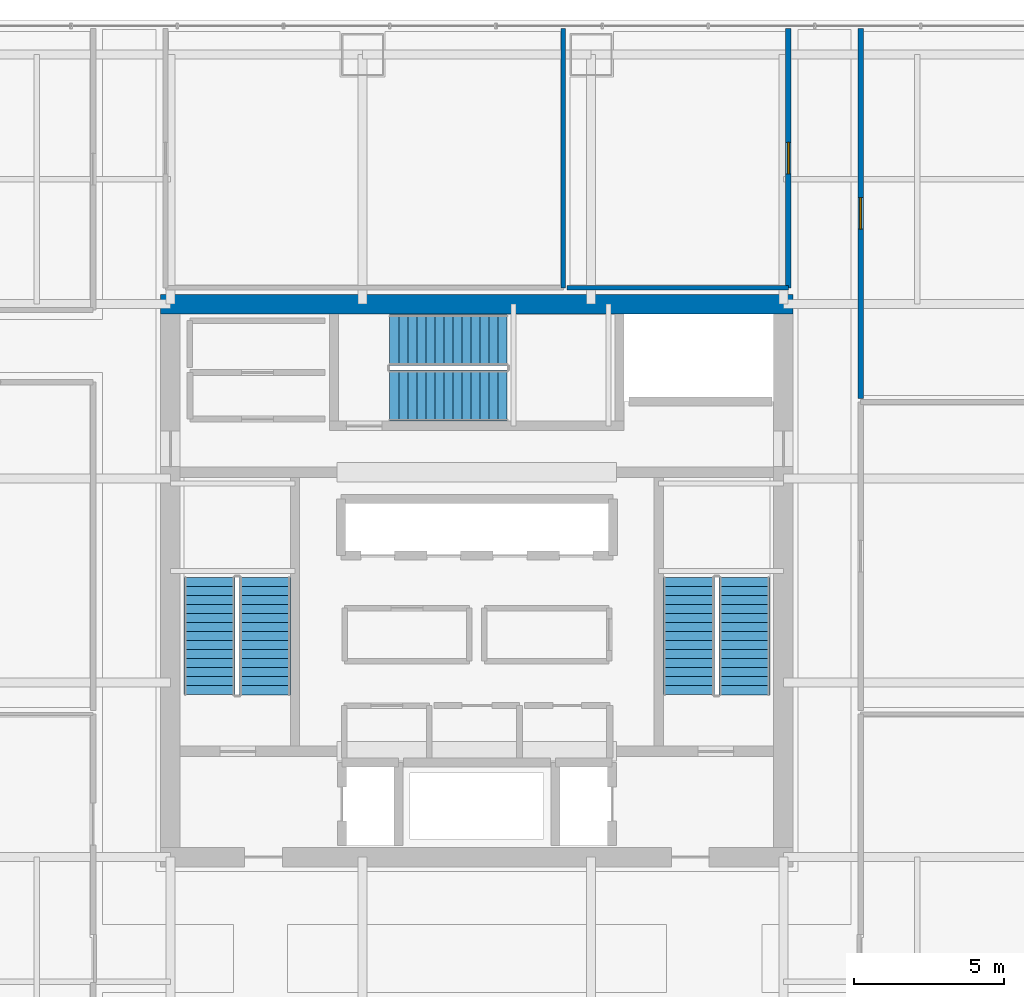
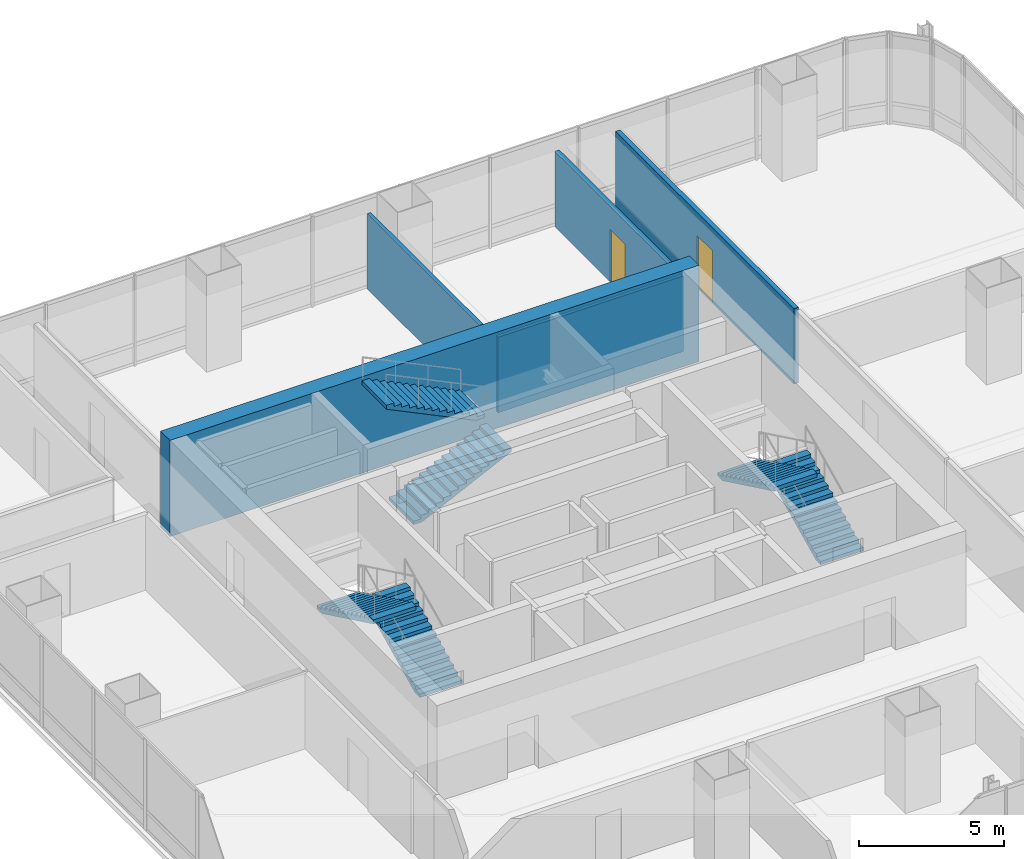
# One storey, part 31 of 36: 6 stair flights, 5 walls, 2 doors, 2 openings, 3 elements without a shape of their own.
"""IFC4 building model written with IfcOpenShell, lengths in metres."""

import ifcopenshell
import ifcopenshell.guid

model = None  # the IFC model being written
_history = None  # IfcOwnerHistory: only IFC2X3 demands one
_inside = {}  # id of a spatial element -> (the spatial element, [elements in it])
_under = {}  # id of a project, library or spatial element -> (it, [spatial elements below it])
_declared = {}  # id of a project -> (the project, [libraries it declares])
_typed = {}  # id of a type object -> (the type object, [elements of that type])
_made_of = {}  # id of a material, layer set ... -> (it, [elements and type objects made of it])


def new_model(schema):
    """Start an empty IFC model of exactly this schema.

    Asked for "IFC4X3", IfcOpenShell would pick the latest addendum, in which some entities
    have other attributes; the version numbers below select the first issue.
    IFC2X3 requires an IfcOwnerHistory on every rooted entity: one is made here for all.
    """
    global model, _history
    if schema == "IFC4X3":
        model = ifcopenshell.file(schema_version=(4, 3, 0, 0))
    else:
        model = ifcopenshell.file(schema=schema)
    _inside.clear()
    _under.clear()
    _declared.clear()
    _typed.clear()
    _made_of.clear()
    _history = None
    if model.schema == "IFC2X3":
        org = make("IfcOrganization", Name="unknown")
        user = make(
            "IfcPersonAndOrganization",
            ThePerson=make("IfcPerson", FamilyName="unknown"),
            TheOrganization=org,
        )
        app = make(
            "IfcApplication",
            ApplicationDeveloper=org,
            Version="unknown",
            ApplicationFullName="unknown",
            ApplicationIdentifier="unknown",
        )
        _history = make(
            "IfcOwnerHistory",
            OwningUser=user,
            OwningApplication=app,
            ChangeAction="ADDED",
            CreationDate=0,
        )
    return model


def make(cls, **values):
    """One entity of the class cls with the attributes given. An attribute that is None is left unset."""
    return model.create_entity(
        cls, **{name: value for name, value in values.items() if value is not None}
    )


def rooted(cls, **values):
    """An entity with a GlobalId (a new one), such as an element, a storey or a relation."""
    return make(cls, GlobalId=ifcopenshell.guid.new(), OwnerHistory=_history, **values)


def si_unit(unit_type, name, prefix=None):
    """IfcSIUnit, for example si_unit("LENGTHUNIT", "METRE", prefix="MILLI")."""
    return make("IfcSIUnit", UnitType=unit_type, Prefix=prefix, Name=name)


def assignment(units):
    """IfcUnitAssignment: the units of a project."""
    return None if units is None else make("IfcUnitAssignment", Units=units)


def point(xyz):
    """IfcCartesianPoint."""
    return None if xyz is None else make("IfcCartesianPoint", Coordinates=xyz)


def direction(xyz):
    """IfcDirection."""
    return None if xyz is None else make("IfcDirection", DirectionRatios=xyz)


def frame(location, z_axis=None, x_axis=None):
    """IfcAxis2Placement3D, a coordinate frame: its origin and axes. An axis left out is left unset."""
    return make(
        "IfcAxis2Placement3D",
        Location=point(location),
        Axis=direction(z_axis),
        RefDirection=direction(x_axis),
    )


def frame_2d(location, x_axis=None):
    """IfcAxis2Placement2D, a coordinate frame in the plane: its origin and x axis."""
    return make(
        "IfcAxis2Placement2D", Location=point(location), RefDirection=direction(x_axis)
    )


def origin():
    """The frame at (0, 0, 0) with its axes left unset."""
    return frame((0.0, 0.0, 0.0))


def place(relative_to, where):
    """IfcLocalPlacement: puts the frame where relative to a parent placement (None: the world)."""
    return make(
        "IfcLocalPlacement", PlacementRelTo=relative_to, RelativePlacement=where
    )


def context(
    kind, dimensions, precision=None, world=None, true_north=None, identifier=None
):
    """IfcGeometricRepresentationContext, for example the 3D "Model" context."""
    return make(
        "IfcGeometricRepresentationContext",
        ContextIdentifier=identifier,
        ContextType=kind,
        CoordinateSpaceDimension=dimensions,
        Precision=precision,
        WorldCoordinateSystem=world,
        TrueNorth=true_north,
    )


def subcontext(parent, identifier, kind, view, scale=None):
    """IfcGeometricRepresentationSubContext, for example "Body" below "Model"."""
    return make(
        "IfcGeometricRepresentationSubContext",
        ContextIdentifier=identifier,
        ContextType=kind,
        ParentContext=parent,
        TargetScale=scale,
        TargetView=view,
    )


def project(units=None, contexts=None):
    """IfcProject with its units and contexts."""
    return rooted(
        "IfcProject",
        Name="project",
        RepresentationContexts=contexts,
        UnitsInContext=assignment(units),
    )


def spatial(cls, under=None, at=None, **own):
    """A site, building, storey or space (cls), placed at a placement, below another one or the project."""
    s = rooted(cls, ObjectPlacement=at, **own)
    if under is not None:
        _under.setdefault(under.id(), (under, []))[1].append(s)
    return s


def polyline(points):
    """IfcPolyline through the points."""
    return make("IfcPolyline", Points=[point(p) for p in points])


def profile(cls, at=None, kind="AREA", **sizes):
    """A parametric profile (cls). Its sizes go by their IFC names, for example OverallWidth=200.0."""
    return make(cls, ProfileType=kind, Position=at, **sizes)


def rectangle(**sizes):
    """IfcRectangleProfileDef."""
    return profile("IfcRectangleProfileDef", **sizes)


def outline(outer, holes=None, kind="AREA"):
    """IfcArbitraryClosedProfileDef: a profile drawn as a closed curve; with holes, ...WithVoids."""
    if holes is None:
        return make("IfcArbitraryClosedProfileDef", ProfileType=kind, OuterCurve=outer)
    return make(
        "IfcArbitraryProfileDefWithVoids",
        ProfileType=kind,
        OuterCurve=outer,
        InnerCurves=holes,
    )


def extrude(swept, where, along, depth):
    """IfcExtrudedAreaSolid: the profile swept, set in the frame where, extruded along a direction by depth."""
    return make(
        "IfcExtrudedAreaSolid",
        SweptArea=swept,
        Position=where,
        ExtrudedDirection=direction(along),
        Depth=depth,
    )


def shape(context_of_items, identifier, shape_type, items):
    """IfcShapeRepresentation: the items that make up one representation, for example the "Body"."""
    return make(
        "IfcShapeRepresentation",
        ContextOfItems=context_of_items,
        RepresentationIdentifier=identifier,
        RepresentationType=shape_type,
        Items=items,
    )


def material(Name=None, Category=None):
    """IfcMaterial."""
    return make("IfcMaterial", Name=Name, Category=Category)


def layer(
    of_material, thickness, ventilated=None, Name=None, Category=None, Priority=None
):
    """IfcMaterialLayer: one layer of a wall or slab, of a material (None: an air gap)."""
    return make(
        "IfcMaterialLayer",
        Material=of_material,
        LayerThickness=thickness,
        IsVentilated=ventilated,
        Name=Name,
        Category=Category,
        Priority=Priority,
    )


def layer_set(layers, Name=None):
    """IfcMaterialLayerSet."""
    return make("IfcMaterialLayerSet", MaterialLayers=layers, LayerSetName=Name)


def made_of(thing, what):
    """Note that an element or type object is made of a material, layer set ...; save() writes the relation."""
    if what is not None:
        _made_of.setdefault(what.id(), (what, []))[1].append(thing)
    return thing


def type_object(cls, material=None, **own):
    """A type object (cls), such as IfcWallType, which elements share."""
    return made_of(rooted(cls, **own), material)


def element(
    cls,
    number,
    at=None,
    inside=None,
    cuts=None,
    type_object=None,
    material=None,
    context=None,
    identifier="Body",
    shape_type=None,
    held_by="IfcProductDefinitionShape",
    body=None,
    shapes=None,
    **own,
):
    """One element of the class cls, such as IfcWall. Its Tag is "e" and its number.

    at: its placement. inside: the storey or other place that contains it. cuts: it is an
    opening in that element (IfcRelVoidsElement). A single representation is given by context,
    identifier, shape_type and body (its items); several are given by shapes. held_by: the class
    of the entity that holds the representations. save() writes the other relations.
    """
    e = rooted(cls, Tag="e%d" % number, ObjectPlacement=at, **own)
    if body is not None:
        shapes = [shape(context, identifier, shape_type, body)]
    if shapes is not None:
        e.Representation = make(held_by, Representations=shapes)
    if inside is not None:
        _inside.setdefault(inside.id(), (inside, []))[1].append(e)
    if cuts is not None:
        rooted(
            "IfcRelVoidsElement", RelatingBuildingElement=cuts, RelatedOpeningElement=e
        )
    if type_object is not None:
        _typed.setdefault(type_object.id(), (type_object, []))[1].append(e)
    return made_of(e, material)


def fill(opening, filler):
    """IfcRelFillsElement: the door or window that sits in an opening."""
    return rooted(
        "IfcRelFillsElement",
        RelatingOpeningElement=opening,
        RelatedBuildingElement=filler,
    )


def aggregate(whole, parts):
    """IfcRelAggregates: a whole, such as a stair, and the parts it consists of."""
    return rooted("IfcRelAggregates", RelatingObject=whole, RelatedObjects=parts)


def save(model, path):
    """Write the relations noted so far, then the file.

    IfcRelAggregates (storeys below a building ...), IfcRelContainedInSpatialStructure (elements
    in a storey), IfcRelDefinesByType, IfcRelAssociatesMaterial and IfcRelDeclares: one each for
    every whole, place, type object, material and project.
    """
    for whole, parts in _under.values():
        aggregate(whole, parts)
    for where, things in _inside.values():
        rooted(
            "IfcRelContainedInSpatialStructure",
            RelatedElements=things,
            RelatingStructure=where,
        )
    for kind, things in _typed.values():
        rooted("IfcRelDefinesByType", RelatedObjects=things, RelatingType=kind)
    for what, things in _made_of.values():
        rooted("IfcRelAssociatesMaterial", RelatedObjects=things, RelatingMaterial=what)
    for by, libraries in _declared.values():
        rooted("IfcRelDeclares", RelatingContext=by, RelatedDefinitions=libraries)
    model.write(path)


model = new_model("IFC4")

# Units and contexts
model_context = context("Model", 3, precision=1e-05, world=origin(), true_north=direction((0.0, 1.0)))
body_context = subcontext(model_context, "Body", "Model", "MODEL_VIEW")
ifc_project = project(units=[si_unit("LENGTHUNIT", "METRE"), si_unit("AREAUNIT", "SQUARE_METRE"), si_unit("VOLUMEUNIT", "CUBIC_METRE"), si_unit("PLANEANGLEUNIT", "RADIAN"), si_unit("MASSUNIT", "GRAM", prefix="KILO")], contexts=[model_context])

# Site, building, storey
site_placement = place(None, origin())
site = spatial("IfcSite", under=ifc_project, at=site_placement, CompositionType="ELEMENT")
building_placement = place(site_placement, origin())
building = spatial("IfcBuilding", under=site, at=building_placement, Name="Punatoya Terracotta Tower", CompositionType="ELEMENT")
storey_placement = place(building_placement, frame((0.0, 0.0, 208.64990234375)))
storey = spatial("IfcBuildingStorey", under=building, at=storey_placement, Name="L49", CompositionType="ELEMENT", Elevation=208.64990234375)

# Wall
ifc_material_1 = material(Name="Concrete C60/75", Category="concrete")
ifc_layer_1 = layer(ifc_material_1, 0.64990234375)
ifc_layer_set_1 = layer_set([ifc_layer_1], Name="Concrete C60/75")
wall_type_1 = type_object("IfcWallType", Name="WL-COR-650", PredefinedType="SHEAR", material=ifc_layer_set_1)
wall_1_placement = place(storey_placement, frame((-10.52490234375, 9.199951171875, 0.0), z_axis=(0.0, 0.0, 1.0), x_axis=(1.0, 0.0, 0.0)))
element("IfcWall", 1, at=wall_1_placement, inside=storey, type_object=wall_type_1, Name="L49 Core Shear Wall N", PredefinedType="SHEAR", context=body_context, shape_type="SweptSolid", body=[
    extrude(rectangle(XDim=21.0498046875, YDim=0.64990234375, at=frame_2d((10.52490234375, 0.0))), origin(), (0.0, 0.0, 1.0), 4.050048828125),
])

# Wall, opening, door
ifc_material_2 = material(Name="Gypsum Fireboard + Steel Stud", Category="steel")
ifc_layer_2 = layer(ifc_material_2, 0.179931640625)
ifc_layer_set_2 = layer_set([ifc_layer_2], Name="Gypsum Fireboard + Steel Stud")
wall_type_2 = type_object("IfcWallType", Name="WL-CORR-180", PredefinedType="PARTITIONING", material=ifc_layer_set_2)
wall_2_placement = place(storey_placement, frame((12.77001953125, 6.06201171875, 0.0), z_axis=(0.0, 0.0, 1.0), x_axis=(0.0, 1.0, 0.0)))
wall_2 = element("IfcWall", 2, at=wall_2_placement, inside=storey, type_object=wall_type_2, Name="L49 Open-Plan Systems Engineering Office Partition 41", PredefinedType="PARTITIONING", context=body_context, shape_type="SweptSolid", body=[
    extrude(rectangle(XDim=12.30810546875, YDim=0.179931640625, at=frame_2d((6.154052734375, 0.0))), origin(), (0.0, 0.0, 1.0), 3.174072265625),
])
opening_1_placement = place(wall_2_placement, frame((5.62890625, 0.0, 0.0)))
opening_1 = element("IfcOpeningElement", 3, at=opening_1_placement, cuts=wall_2, Name="Opening OD-01", PredefinedType="OPENING", context=body_context, shape_type="SweptSolid", body=[
    extrude(rectangle(XDim=1.050048828125, YDim=2.199951171875, at=frame_2d((0.52490234375, 1.10009765625))), frame((0.0, 0.099853515625, 0.0), z_axis=(0.0, -1.0, 0.0), x_axis=(1.0, 0.0, 0.0)), (0.0, 0.0, 1.0), 0.199951171875),
])
ifc_material_3 = material(Name="Bengal Teak Solid-Core Leaf")
door_type = type_object("IfcDoorType", Name="DR-OFF-1050", OperationType="NOTDEFINED", PredefinedType="DOOR", material=ifc_material_3)
door_1_placement = place(opening_1_placement, origin())
door_1 = element("IfcDoor", 4, at=door_1_placement, inside=storey, type_object=door_type, Name="L49 Open-Plan Systems Engineering Office Door", OperationType="SINGLE_SWING_LEFT", OverallHeight=2.199951171875, OverallWidth=1.050048828125, PredefinedType="DOOR", context=body_context, shape_type="SweptSolid", body=[
    extrude(rectangle(XDim=1.050048828125, YDim=2.199951171875, at=frame_2d((0.52490234375, 1.10009765625))), frame((0.0, 0.02490234375, 0.0), z_axis=(0.0, -1.0, 0.0), x_axis=(1.0, 0.0, 0.0)), (0.0, 0.0, 1.0), 0.050048828125),
])
fill(opening_1, door_1)

wall_3_placement = place(storey_placement, frame((10.360107421875, 18.3701171875, 0.0), z_axis=(0.0, 0.0, 1.0), x_axis=(0.0, -1.0, 0.0)))
wall_3 = element("IfcWall", 5, at=wall_3_placement, inside=storey, type_object=wall_type_2, Name="L49 Open-Plan Global Desk Workplace Partition 48", PredefinedType="PARTITIONING", context=body_context, shape_type="SweptSolid", body=[
    extrude(rectangle(XDim=8.630126953125, YDim=0.179931640625, at=frame_2d((4.31494140625, 0.0))), origin(), (0.0, 0.0, 1.0), 3.174072265625),
])
opening_2_placement = place(wall_3_placement, frame((3.7900390625, 0.0, 0.0)))
opening_2 = element("IfcOpeningElement", 6, at=opening_2_placement, cuts=wall_3, Name="Opening OD-01", PredefinedType="OPENING", context=body_context, shape_type="SweptSolid", body=[
    extrude(rectangle(XDim=1.050048828125, YDim=2.199951171875, at=frame_2d((0.52490234375, 1.10009765625))), frame((0.0, 0.099853515625, 0.0), z_axis=(0.0, -1.0, 0.0), x_axis=(1.0, 0.0, 0.0)), (0.0, 0.0, 1.0), 0.199951171875),
])
door_2_placement = place(opening_2_placement, origin())
door_2 = element("IfcDoor", 7, at=door_2_placement, inside=storey, type_object=door_type, Name="L49 Open-Plan Global Desk Workplace Door", OperationType="SINGLE_SWING_RIGHT", OverallHeight=2.199951171875, OverallWidth=1.050048828125, PredefinedType="DOOR", context=body_context, shape_type="SweptSolid", body=[
    extrude(rectangle(XDim=1.050048828125, YDim=2.199951171875, at=frame_2d((0.52490234375, 1.10009765625))), frame((0.0, 0.02490234375, 0.0), z_axis=(0.0, -1.0, 0.0), x_axis=(1.0, 0.0, 0.0)), (0.0, 0.0, 1.0), 0.050048828125),
])
fill(opening_2, door_2)

# Walls
ifc_material_4 = material(Name="Acoustic Gypsum + Steel Stud", Category="steel")
ifc_layer_3 = layer(ifc_material_4, 0.139892578125)
ifc_layer_set_3 = layer_set([ifc_layer_3], Name="Acoustic Gypsum + Steel Stud")
wall_type_3 = type_object("IfcWallType", Name="WL-OFF-140", PredefinedType="PARTITIONING", material=ifc_layer_set_3)
wall_4_placement = place(storey_placement, frame((2.8740234375, 18.3701171875, 0.0), z_axis=(0.0, 0.0, 1.0), x_axis=(0.0, -1.0, 0.0)))
element("IfcWall", 8, at=wall_4_placement, inside=storey, type_object=wall_type_3, Name="L49 Open-Plan Regional Operations Office Partition 44", PredefinedType="PARTITIONING", context=body_context, shape_type="SweptSolid", body=[
    extrude(rectangle(XDim=8.630126953125, YDim=0.139892578125, at=frame_2d((4.31494140625, 0.0))), origin(), (0.0, 0.0, 1.0), 3.174072265625),
])
wall_5_placement = place(storey_placement, frame((10.360107421875, 9.739990234375, 0.0), z_axis=(0.0, 0.0, 1.0), x_axis=(-1.0, 0.0, 0.0)))
element("IfcWall", 9, at=wall_5_placement, inside=storey, type_object=wall_type_3, Name="L49 Open-Plan Global Desk Workplace Partition 47", PredefinedType="PARTITIONING", context=body_context, shape_type="SweptSolid", body=[
    extrude(rectangle(XDim=7.3662109375, YDim=0.139892578125, at=frame_2d((3.68310546875, 0.0))), origin(), (0.0, 0.0, 1.0), 3.174072265625),
])

# Stair, stair flights
ifc_material_5 = material(Name="Concrete C40/50", Category="concrete")
stair_type_1 = type_object("IfcStairType", Name="STR-CORE-1550", PredefinedType="HALF_TURN_STAIR", material=ifc_material_5)
stair_1_placement = place(storey_placement, origin())
stair_1 = element("IfcStair", 10, at=stair_1_placement, inside=storey, type_object=stair_type_1, Name="L49 Protected Core Exit Stair ST-1", PredefinedType="HALF_TURN_STAIR")
stair_flight_type_1 = type_object("IfcStairFlightType", Name="SFL-CORE-1550", PredefinedType="STRAIGHT", material=ifc_material_5)
stair_flight_1_placement = place(storey_placement, frame((-7.050048828125, -3.800048828125, 0.0), z_axis=(0.0, 0.0, 1.0), x_axis=(0.0, 1.0, 0.0)))
stair_flight_1 = element("IfcStairFlight", 11, at=stair_flight_1_placement, type_object=stair_flight_type_1, Name="ST-1 flight 1", NumberOfRisers=14, NumberOfTreads=13, PredefinedType="STRAIGHT", RiserHeight=0.144642857, TreadLength=0.3, context=body_context, shape_type="SweptSolid", body=[
    extrude(outline(polyline([(0.0, 0.0), (0.0, 0.14453125), (0.300048828125, 0.14453125), (0.300048828125, 0.289306640625), (0.60009765625, 0.289306640625), (0.60009765625, 0.433837890625), (0.89990234375, 0.433837890625), (0.89990234375, 0.57861328125), (1.199951171875, 0.57861328125), (1.199951171875, 0.72314453125), (1.5, 0.72314453125), (1.5, 0.867919921875), (1.800048828125, 0.867919921875), (1.800048828125, 1.012451171875), (2.10009765625, 1.012451171875), (2.10009765625, 1.1572265625), (2.39990234375, 1.1572265625), (2.39990234375, 1.3017578125), (2.699951171875, 1.3017578125), (2.699951171875, 1.446533203125), (3.0, 1.446533203125), (3.0, 1.591064453125), (3.300048828125, 1.591064453125), (3.300048828125, 1.735595703125), (3.60009765625, 1.735595703125), (3.60009765625, 1.88037109375), (3.89990234375, 1.88037109375), (3.89990234375, 2.02490234375), (3.89990234375, 1.7138671875), (0.34521484375, 0.0), (0.0, 0.0)])), frame((0.0, 0.85009765625, 0.0), z_axis=(0.0, -1.0, 0.0), x_axis=(1.0, 0.0, 0.0)), (0.0, 0.0, 1.0), 1.699951171875),
])
stair_flight_2_placement = place(storey_placement, frame((-8.89990234375, 0.10009765625, 2.025146484375), z_axis=(0.0, 0.0, 1.0), x_axis=(0.0, -1.0, 0.0)))
stair_flight_2 = element("IfcStairFlight", 12, at=stair_flight_2_placement, type_object=stair_flight_type_1, Name="ST-1 flight 2", NumberOfRisers=14, NumberOfTreads=13, PredefinedType="STRAIGHT", RiserHeight=0.144642857, TreadLength=0.3, context=body_context, shape_type="SweptSolid", body=[
    extrude(outline(polyline([(0.0, 0.0), (0.0, 0.14453125), (0.300048828125, 0.14453125), (0.300048828125, 0.289306640625), (0.60009765625, 0.289306640625), (0.60009765625, 0.433837890625), (0.89990234375, 0.433837890625), (0.89990234375, 0.57861328125), (1.199951171875, 0.57861328125), (1.199951171875, 0.72314453125), (1.5, 0.72314453125), (1.5, 0.867919921875), (1.800048828125, 0.867919921875), (1.800048828125, 1.012451171875), (2.10009765625, 1.012451171875), (2.10009765625, 1.1572265625), (2.39990234375, 1.1572265625), (2.39990234375, 1.3017578125), (2.699951171875, 1.3017578125), (2.699951171875, 1.446533203125), (3.0, 1.446533203125), (3.0, 1.591064453125), (3.300048828125, 1.591064453125), (3.300048828125, 1.735595703125), (3.60009765625, 1.735595703125), (3.60009765625, 1.88037109375), (3.89990234375, 1.88037109375), (3.89990234375, 2.02490234375), (3.89990234375, 1.7138671875), (0.34521484375, 0.0), (0.0, 0.0)])), frame((0.0, 0.85009765625, 0.0), z_axis=(0.0, -1.0, 0.0), x_axis=(1.0, 0.0, 0.0)), (0.0, 0.0, 1.0), 1.699951171875),
])
aggregate(stair_1, [stair_flight_1, stair_flight_2])

stair_type_2 = type_object("IfcStairType", Name="STR-LOB-1650", PredefinedType="HALF_TURN_STAIR", material=ifc_material_5)
stair_2_placement = place(storey_placement, origin())
stair_2 = element("IfcStair", 13, at=stair_2_placement, inside=storey, type_object=stair_type_2, Name="L49 Protected Core Exit Stair ST-2", PredefinedType="HALF_TURN_STAIR")
stair_flight_type_2 = type_object("IfcStairFlightType", Name="SFL-LOB-1650", PredefinedType="STRAIGHT", material=ifc_material_5)
stair_flight_3_placement = place(storey_placement, frame((8.89990234375, -3.800048828125, 0.0), z_axis=(0.0, 0.0, 1.0), x_axis=(0.0, 1.0, 0.0)))
stair_flight_3 = element("IfcStairFlight", 14, at=stair_flight_3_placement, type_object=stair_flight_type_2, Name="ST-2 flight 1", NumberOfRisers=14, NumberOfTreads=13, PredefinedType="STRAIGHT", RiserHeight=0.144642857, TreadLength=0.3, context=body_context, shape_type="SweptSolid", body=[
    extrude(outline(polyline([(0.0, 0.0), (0.0, 0.14453125), (0.300048828125, 0.14453125), (0.300048828125, 0.289306640625), (0.60009765625, 0.289306640625), (0.60009765625, 0.433837890625), (0.89990234375, 0.433837890625), (0.89990234375, 0.57861328125), (1.199951171875, 0.57861328125), (1.199951171875, 0.72314453125), (1.5, 0.72314453125), (1.5, 0.867919921875), (1.800048828125, 0.867919921875), (1.800048828125, 1.012451171875), (2.10009765625, 1.012451171875), (2.10009765625, 1.1572265625), (2.39990234375, 1.1572265625), (2.39990234375, 1.3017578125), (2.699951171875, 1.3017578125), (2.699951171875, 1.446533203125), (3.0, 1.446533203125), (3.0, 1.591064453125), (3.300048828125, 1.591064453125), (3.300048828125, 1.735595703125), (3.60009765625, 1.735595703125), (3.60009765625, 1.88037109375), (3.89990234375, 1.88037109375), (3.89990234375, 2.02490234375), (3.89990234375, 1.7138671875), (0.34521484375, 0.0), (0.0, 0.0)])), frame((0.0, 0.85009765625, 0.0), z_axis=(0.0, -1.0, 0.0), x_axis=(1.0, 0.0, 0.0)), (0.0, 0.0, 1.0), 1.699951171875),
])
stair_flight_4_placement = place(storey_placement, frame((7.050048828125, 0.10009765625, 2.025146484375), z_axis=(0.0, 0.0, 1.0), x_axis=(0.0, -1.0, 0.0)))
stair_flight_4 = element("IfcStairFlight", 15, at=stair_flight_4_placement, type_object=stair_flight_type_2, Name="ST-2 flight 2", NumberOfRisers=14, NumberOfTreads=13, PredefinedType="STRAIGHT", RiserHeight=0.144642857, TreadLength=0.3, context=body_context, shape_type="SweptSolid", body=[
    extrude(outline(polyline([(0.0, 0.0), (0.0, 0.14453125), (0.300048828125, 0.14453125), (0.300048828125, 0.289306640625), (0.60009765625, 0.289306640625), (0.60009765625, 0.433837890625), (0.89990234375, 0.433837890625), (0.89990234375, 0.57861328125), (1.199951171875, 0.57861328125), (1.199951171875, 0.72314453125), (1.5, 0.72314453125), (1.5, 0.867919921875), (1.800048828125, 0.867919921875), (1.800048828125, 1.012451171875), (2.10009765625, 1.012451171875), (2.10009765625, 1.1572265625), (2.39990234375, 1.1572265625), (2.39990234375, 1.3017578125), (2.699951171875, 1.3017578125), (2.699951171875, 1.446533203125), (3.0, 1.446533203125), (3.0, 1.591064453125), (3.300048828125, 1.591064453125), (3.300048828125, 1.735595703125), (3.60009765625, 1.735595703125), (3.60009765625, 1.88037109375), (3.89990234375, 1.88037109375), (3.89990234375, 2.02490234375), (3.89990234375, 1.7138671875), (0.34521484375, 0.0), (0.0, 0.0)])), frame((0.0, 0.85009765625, 0.0), z_axis=(0.0, -1.0, 0.0), x_axis=(1.0, 0.0, 0.0)), (0.0, 0.0, 1.0), 1.699951171875),
])
aggregate(stair_2, [stair_flight_3, stair_flight_4])

stair_type_3 = type_object("IfcStairType", Name="STR-TER-1450", PredefinedType="HALF_TURN_STAIR", material=ifc_material_5)
stair_3_placement = place(storey_placement, origin())
stair_3 = element("IfcStair", 16, at=stair_3_placement, inside=storey, type_object=stair_type_3, Name="L49 Protected Core Exit Stair ST-3", PredefinedType="HALF_TURN_STAIR")
stair_flight_type_3 = type_object("IfcStairFlightType", Name="SFL-TER-1450", PredefinedType="STRAIGHT", material=ifc_material_5)
stair_flight_5_placement = place(storey_placement, frame((-2.89990234375, 6.14990234375, 0.0), z_axis=(0.0, 0.0, 1.0), x_axis=(1.0, 0.0, 0.0)))
stair_flight_5 = element("IfcStairFlight", 17, at=stair_flight_5_placement, type_object=stair_flight_type_3, Name="ST-3 flight 1", NumberOfRisers=14, NumberOfTreads=13, PredefinedType="STRAIGHT", RiserHeight=0.144642857, TreadLength=0.3, context=body_context, shape_type="SweptSolid", body=[
    extrude(outline(polyline([(0.0, 0.0), (0.0, 0.14453125), (0.300048828125, 0.14453125), (0.300048828125, 0.289306640625), (0.60009765625, 0.289306640625), (0.60009765625, 0.433837890625), (0.89990234375, 0.433837890625), (0.89990234375, 0.57861328125), (1.199951171875, 0.57861328125), (1.199951171875, 0.72314453125), (1.5, 0.72314453125), (1.5, 0.867919921875), (1.800048828125, 0.867919921875), (1.800048828125, 1.012451171875), (2.10009765625, 1.012451171875), (2.10009765625, 1.1572265625), (2.39990234375, 1.1572265625), (2.39990234375, 1.3017578125), (2.699951171875, 1.3017578125), (2.699951171875, 1.446533203125), (3.0, 1.446533203125), (3.0, 1.591064453125), (3.300048828125, 1.591064453125), (3.300048828125, 1.735595703125), (3.60009765625, 1.735595703125), (3.60009765625, 1.88037109375), (3.89990234375, 1.88037109375), (3.89990234375, 2.02490234375), (3.89990234375, 1.7138671875), (0.34521484375, 0.0), (0.0, 0.0)])), frame((0.0, 0.85009765625, 0.0), z_axis=(0.0, -1.0, 0.0), x_axis=(1.0, 0.0, 0.0)), (0.0, 0.0, 1.0), 1.699951171875),
])
stair_flight_6_placement = place(storey_placement, frame((1.0, 8.0, 2.025146484375), z_axis=(0.0, 0.0, 1.0), x_axis=(-1.0, 0.0, 0.0)))
stair_flight_6 = element("IfcStairFlight", 18, at=stair_flight_6_placement, type_object=stair_flight_type_3, Name="ST-3 flight 2", NumberOfRisers=14, NumberOfTreads=13, PredefinedType="STRAIGHT", RiserHeight=0.144642857, TreadLength=0.3, context=body_context, shape_type="SweptSolid", body=[
    extrude(outline(polyline([(0.0, 0.0), (0.0, 0.14453125), (0.300048828125, 0.14453125), (0.300048828125, 0.289306640625), (0.60009765625, 0.289306640625), (0.60009765625, 0.433837890625), (0.89990234375, 0.433837890625), (0.89990234375, 0.57861328125), (1.199951171875, 0.57861328125), (1.199951171875, 0.72314453125), (1.5, 0.72314453125), (1.5, 0.867919921875), (1.800048828125, 0.867919921875), (1.800048828125, 1.012451171875), (2.10009765625, 1.012451171875), (2.10009765625, 1.1572265625), (2.39990234375, 1.1572265625), (2.39990234375, 1.3017578125), (2.699951171875, 1.3017578125), (2.699951171875, 1.446533203125), (3.0, 1.446533203125), (3.0, 1.591064453125), (3.300048828125, 1.591064453125), (3.300048828125, 1.735595703125), (3.60009765625, 1.735595703125), (3.60009765625, 1.88037109375), (3.89990234375, 1.88037109375), (3.89990234375, 2.02490234375), (3.89990234375, 1.7138671875), (0.34521484375, 0.0), (0.0, 0.0)])), frame((0.0, 0.85009765625, 0.0), z_axis=(0.0, -1.0, 0.0), x_axis=(1.0, 0.0, 0.0)), (0.0, 0.0, 1.0), 1.699951171875),
])
aggregate(stair_3, [stair_flight_5, stair_flight_6])

save(model, "model.ifc")
